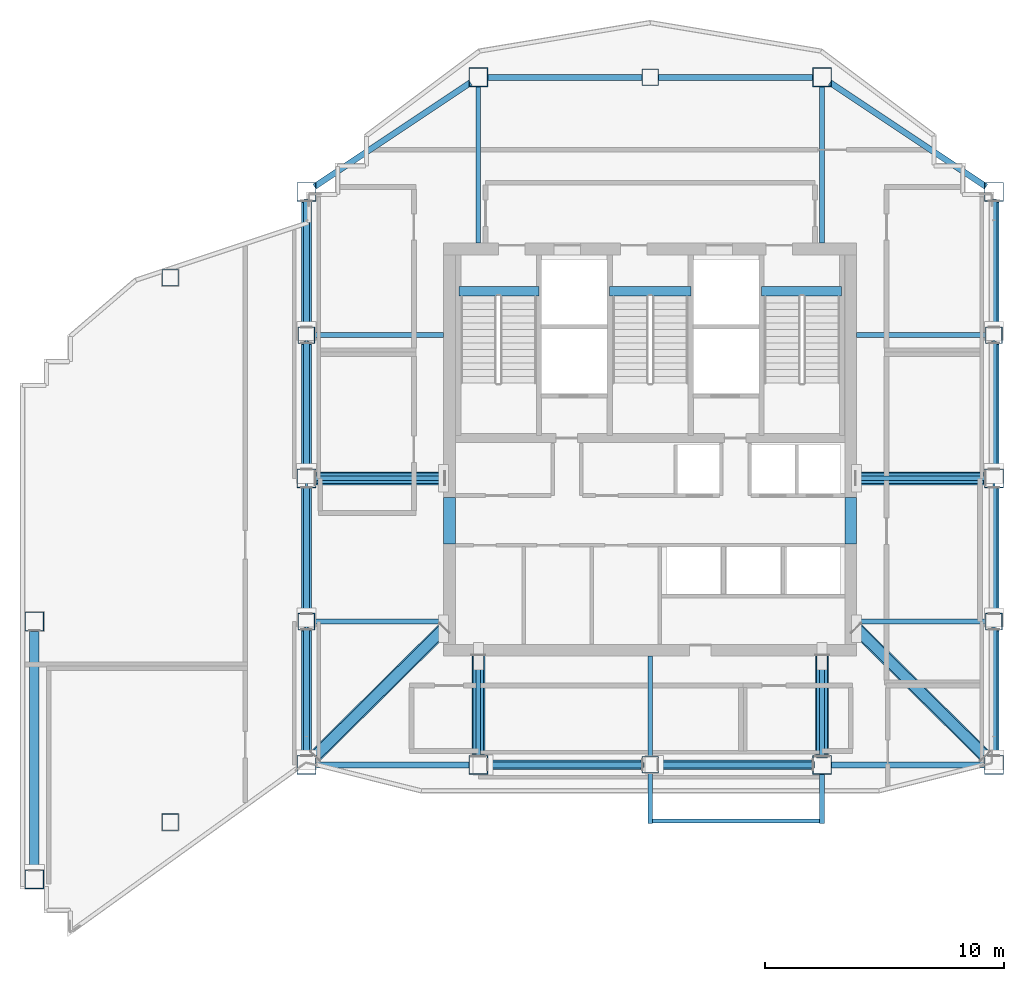
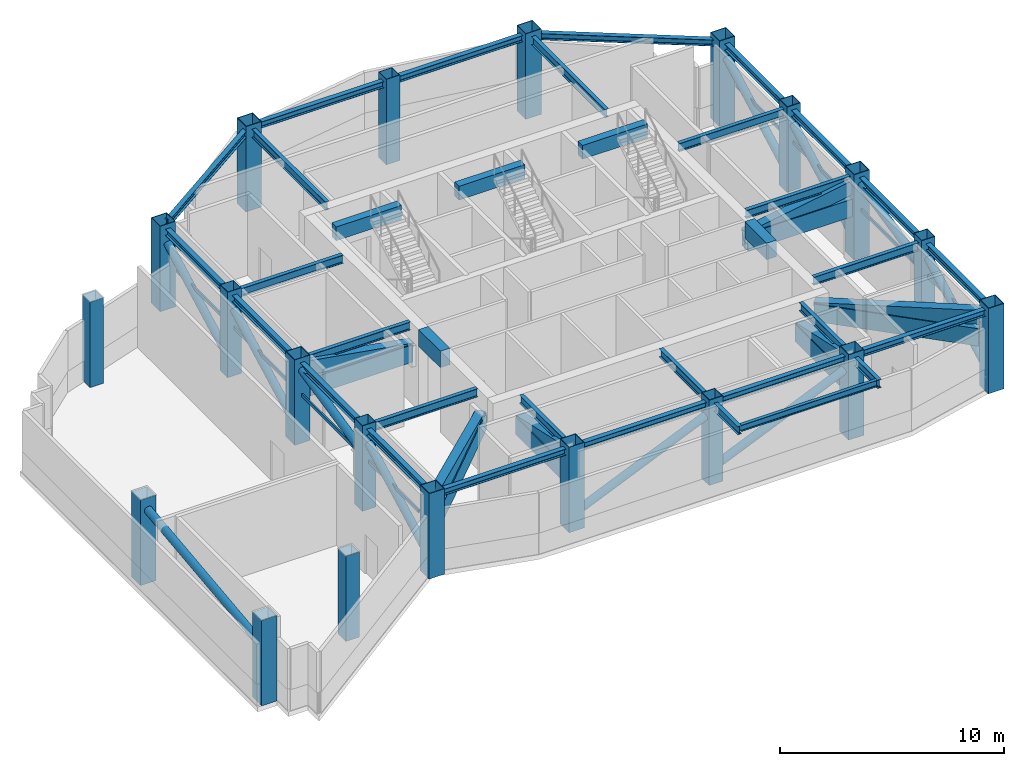
# One storey, part 1 of 15: 41 beams, 20 columns, 19 members.
"""IFC4 building model written with IfcOpenShell, lengths in metres."""

from ifc_helpers import new_model, si_unit, direction, frame, origin, origin_2d, place, context, subcontext, project, spatial, rectangle, hollow_rectangle, hollow_circle, i_section, extrude, material, material_profile, profile_set, type_object, element, save


model = new_model("IFC4")

# Units and contexts
model_context = context("Model", 3, precision=1e-05, world=origin(), true_north=direction((0.0, 1.0)))
body_context = subcontext(model_context, "Body", "Model", "MODEL_VIEW")
ifc_project = project(units=[si_unit("LENGTHUNIT", "METRE"), si_unit("AREAUNIT", "SQUARE_METRE"), si_unit("VOLUMEUNIT", "CUBIC_METRE"), si_unit("PLANEANGLEUNIT", "RADIAN"), si_unit("MASSUNIT", "GRAM", prefix="KILO")], contexts=[model_context])

# Site, building, storey
site_placement = place(None, origin())
site = spatial("IfcSite", under=ifc_project, at=site_placement, CompositionType="ELEMENT")
building_placement = place(site_placement, origin())
building = spatial("IfcBuilding", under=site, at=building_placement, Name="Haolan Belvedere Tower", CompositionType="ELEMENT")
storey_placement = place(building_placement, frame((0.0, 0.0, 277.550048828125)))
storey = spatial("IfcBuildingStorey", under=building, at=storey_placement, Name="L70", CompositionType="ELEMENT", Elevation=277.550048828125)

# Columns
ifc_material_1 = material(Name="Steel Q390GJC", Category="steel")
ifc_material_profile_1 = material_profile(ifc_material_1, hollow_rectangle(XDim=0.699951171875, YDim=0.699951171875, WallThickness=0.02587890625, at=origin_2d()), Name="Steel Q390GJC")
ifc_profile_set_1 = profile_set([ifc_material_profile_1], Name="Steel Q390GJC")
column_type_1 = type_object("IfcColumnType", Name="COL-BOX700x700x26", PredefinedType="COLUMN", material=ifc_profile_set_1)
for number, where, z_axis, x_axis, name in (
    (1, (24.0, 27.60009765625, 0.0), (0.0, 0.0, 1.0), (1.0, 0.0, 0.0), "L70 column TC-T3-W1 (BOX700x700x26)"),
    (2, (24.0, 39.60009765625, 0.0), (0.0, 0.0, 1.0), (1.0, 0.0, 0.0), "L70 column TC-T3-W2 (BOX700x700x26)"),
    (3, (52.800048828125, 27.60009765625, 0.0), (0.0, 0.0, 1.0), (1.0, 0.0, 0.0), "L70 column TC-T3-E1 (BOX700x700x26)"),
    (4, (52.800048828125, 39.60009765625, 0.0), (0.0, 0.0, 1.0), (1.0, 0.0, 0.0), "L70 column TC-T3-E2 (BOX700x700x26)"),
    (5, (38.39990234375, 21.60009765625, 0.0), (0.0, 0.0, 1.0), (1.0, 0.0, 0.0), "L70 column TC-T3-SM (BOX700x700x26)"),
    (6, (38.39990234375, 50.39990234375, 0.0), (0.0, 0.0, 1.0), (1.0, 0.0, 0.0), "L70 column TC-T3-NM (BOX700x700x26)"),
    (7, (18.300048828125, 19.199951171875, 0.0), (0.0, 0.0, 1.0), (1.0, 0.0, 0.0), "L70 column TC-T2-S1 (BOX700x700x26)"),
    (8, (18.300048828125, 42.0, 0.0), (0.0, 0.0, 1.0), (1.0, 0.0, 0.0), "L70 column TC-T2-N1 (BOX700x700x26)"),
):
    element("IfcColumn", number, at=place(storey_placement, frame(where, z_axis=z_axis, x_axis=x_axis)), inside=storey, type_object=column_type_1, Name=name, PredefinedType="COLUMN", context=body_context, shape_type="SweptSolid", body=[
        extrude(hollow_rectangle(XDim=0.699951171875, YDim=0.699951171875, WallThickness=0.02587890625, at=origin_2d()), origin(), (0.0, 0.0, 1.0), 4.64990234375),
    ])
ifc_material_profile_2 = material_profile(ifc_material_1, hollow_rectangle(XDim=0.800048828125, YDim=0.800048828125, WallThickness=0.030029296875, at=origin_2d()), Name="Steel Q390GJC")
ifc_profile_set_2 = profile_set([ifc_material_profile_2], Name="Steel Q390GJC")
column_type_2 = type_object("IfcColumnType", Name="COL-BOX800x800x30", PredefinedType="COLUMN", material=ifc_profile_set_2)
for number, where, z_axis, x_axis, name in (
    (9, (24.0, 21.60009765625, 0.0), (0.0, 0.0, 1.0), (1.0, 0.0, 0.0), "L70 column MC-T3-SW (BOX800x800x30)"),
    (10, (24.0, 33.60009765625, 0.0), (0.0, 0.0, 1.0), (1.0, 0.0, 0.0), "L70 column MC-T3-MW (BOX800x800x30)"),
    (11, (24.0, 45.60009765625, 0.0), (0.0, 0.0, 1.0), (1.0, 0.0, 0.0), "L70 column MC-T3-NW (BOX800x800x30)"),
    (12, (52.800048828125, 21.60009765625, 0.0), (0.0, 0.0, 1.0), (1.0, 0.0, 0.0), "L70 column MC-T3-SE (BOX800x800x30)"),
    (13, (52.800048828125, 33.60009765625, 0.0), (0.0, 0.0, 1.0), (1.0, 0.0, 0.0), "L70 column MC-T3-ME (BOX800x800x30)"),
    (14, (52.800048828125, 45.60009765625, 0.0), (0.0, 0.0, 1.0), (1.0, 0.0, 0.0), "L70 column MC-T3-NE (BOX800x800x30)"),
    (15, (31.199951171875, 21.60009765625, 0.0), (0.0, 0.0, 1.0), (1.0, 0.0, 0.0), "L70 column MC-T3-S1 (BOX800x800x30)"),
    (16, (45.60009765625, 21.60009765625, 0.0), (0.0, 0.0, 1.0), (1.0, 0.0, 0.0), "L70 column MC-T3-S2 (BOX800x800x30)"),
    (17, (31.199951171875, 50.39990234375, 0.0), (0.0, 0.0, 1.0), (1.0, 0.0, 0.0), "L70 column MC-T3-N1 (BOX800x800x30)"),
    (18, (45.60009765625, 50.39990234375, 0.0), (0.0, 0.0, 1.0), (1.0, 0.0, 0.0), "L70 column MC-T3-N2 (BOX800x800x30)"),
    (19, (12.60009765625, 16.800048828125, 0.0), (0.0, 0.0, 1.0), (1.0, 0.0, 0.0), "L70 column MC-T2-SW (BOX800x800x30)"),
    (20, (12.60009765625, 27.60009765625, 0.0), (0.0, 0.0, 1.0), (1.0, 0.0, 0.0), "L70 column MC-T2-MW (BOX800x800x30)"),
):
    element("IfcColumn", number, at=place(storey_placement, frame(where, z_axis=z_axis, x_axis=x_axis)), inside=storey, type_object=column_type_2, Name=name, PredefinedType="COLUMN", context=body_context, shape_type="SweptSolid", body=[
        extrude(hollow_rectangle(XDim=0.800048828125, YDim=0.800048828125, WallThickness=0.030029296875, at=origin_2d()), origin(), (0.0, 0.0, 1.0), 4.64990234375),
    ])

# Beams
ifc_material_2 = material(Name="Steel Q420GJC", Category="steel")
ifc_material_profile_3 = material_profile(ifc_material_2, hollow_rectangle(XDim=0.550048828125, YDim=0.949951171875, WallThickness=0.033935546875, at=origin_2d()), Name="Steel Q420GJC")
ifc_profile_set_3 = profile_set([ifc_material_profile_3], Name="Steel Q420GJC")
beam_type_1 = type_object("IfcBeamType", Name="BM-BOX950x550x34", PredefinedType="BEAM", material=ifc_profile_set_3)
beam_1_placement = place(storey_placement, frame((29.780029296875, 33.60009765625, 2.780029296875), z_axis=(-1.0, 0.0, 0.0), x_axis=(0.0, -1.0, 0.0)))
element("IfcBeam", 21, at=beam_1_placement, inside=storey, type_object=beam_type_1, Name="L70 core outrigger lower portal chord OR-W1", PredefinedType="BEAM", context=body_context, shape_type="SweptSolid", body=[
    extrude(hollow_rectangle(XDim=0.550048828125, YDim=0.949951171875, WallThickness=0.033935546875, at=origin_2d()), origin(), (0.0, 0.0, 1.0), 5.409912109375),
])
beam_2_placement = place(storey_placement, frame((29.771240234375, 27.321044921875, 2.780029296875), z_axis=(-0.710186694144, -0.704013394376, 0.0), x_axis=(0.704013394376, -0.710186694144, 0.0)))
element("IfcBeam", 22, at=beam_2_placement, inside=storey, type_object=beam_type_1, Name="L70 core outrigger lower portal chord OR-W2", PredefinedType="BEAM", context=body_context, shape_type="SweptSolid", body=[
    extrude(hollow_rectangle(XDim=0.550048828125, YDim=0.949951171875, WallThickness=0.033935546875, at=origin_2d()), origin(), (0.0, 0.0, 1.0), 7.59326171875),
])
beam_3_placement = place(storey_placement, frame((47.02001953125, 33.60009765625, 2.780029296875), z_axis=(1.0, 0.0, 0.0), x_axis=(0.0, 1.0, 0.0)))
element("IfcBeam", 23, at=beam_3_placement, inside=storey, type_object=beam_type_1, Name="L70 core outrigger lower portal chord OR-E1", PredefinedType="BEAM", context=body_context, shape_type="SweptSolid", body=[
    extrude(hollow_rectangle(XDim=0.550048828125, YDim=0.949951171875, WallThickness=0.033935546875, at=origin_2d()), origin(), (0.0, 0.0, 1.0), 5.409912109375),
])
beam_4_placement = place(storey_placement, frame((47.02880859375, 27.321044921875, 2.780029296875), z_axis=(0.710186694144, -0.704013394376, 0.0), x_axis=(0.704013394376, 0.710186694144, 0.0)))
element("IfcBeam", 24, at=beam_4_placement, inside=storey, type_object=beam_type_1, Name="L70 core outrigger lower portal chord OR-E2", PredefinedType="BEAM", context=body_context, shape_type="SweptSolid", body=[
    extrude(hollow_rectangle(XDim=0.550048828125, YDim=0.949951171875, WallThickness=0.033935546875, at=origin_2d()), origin(), (0.0, 0.0, 1.0), 7.59326171875),
])
for number, where, z_axis, x_axis, name in (
    (25, (31.199951171875, 26.179931640625, 2.780029296875), (0.0, -1.0, 0.0), (1.0, 0.0, 0.0), "L70 core outrigger lower portal chord OR-S1"),
    (26, (45.60009765625, 26.179931640625, 2.780029296875), (0.0, -1.0, 0.0), (1.0, 0.0, 0.0), "L70 core outrigger lower portal chord OR-S2"),
):
    element("IfcBeam", number, at=place(storey_placement, frame(where, z_axis=z_axis, x_axis=x_axis)), inside=storey, type_object=beam_type_1, Name=name, PredefinedType="BEAM", context=body_context, shape_type="SweptSolid", body=[
        extrude(hollow_rectangle(XDim=0.550048828125, YDim=0.949951171875, WallThickness=0.033935546875, at=origin_2d()), origin(), (0.0, 0.0, 1.0), 4.2099609375),
    ])
ifc_material_3 = material(Name="Steel Q355B", Category="steel")
ifc_material_profile_4 = material_profile(ifc_material_3, i_section(OverallWidth=0.25, OverallDepth=0.340087890625, WebThickness=0.009033203125, FlangeThickness=0.013916015625, FilletRadius=0.02001953125, at=origin_2d()), Name="Steel Q355B")
ifc_profile_set_4 = profile_set([ifc_material_profile_4], Name="Steel Q355B")
beam_type_2 = type_object("IfcBeamType", Name="BM-HM340x250x9x14", PredefinedType="SPANDREL", material=ifc_profile_set_4)
for number, where, z_axis, x_axis, name in (
    (27, (24.0, 22.0, 4.22998046875), (0.0, 1.0, 0.0), (-1.0, 0.0, 0.0), "L70 spandrel girder MC-T3-SW-TC-T3-W1"),
    (28, (24.0, 27.949951171875, 4.22998046875), (0.0, 1.0, 0.0), (-1.0, 0.0, 0.0), "L70 spandrel girder TC-T3-W1-MC-T3-MW"),
    (29, (24.0, 34.0, 4.22998046875), (0.0, 1.0, 0.0), (-1.0, 0.0, 0.0), "L70 spandrel girder MC-T3-MW-TC-T3-W2"),
    (30, (24.0, 39.949951171875, 4.22998046875), (0.0, 1.0, 0.0), (-1.0, 0.0, 0.0), "L70 spandrel girder TC-T3-W2-MC-T3-NW"),
    (31, (52.800048828125, 22.0, 4.22998046875), (0.0, 1.0, 0.0), (-1.0, 0.0, 0.0), "L70 spandrel girder MC-T3-SE-TC-T3-E1"),
    (32, (52.800048828125, 27.949951171875, 4.22998046875), (0.0, 1.0, 0.0), (-1.0, 0.0, 0.0), "L70 spandrel girder TC-T3-E1-MC-T3-ME"),
    (33, (52.800048828125, 34.0, 4.22998046875), (0.0, 1.0, 0.0), (-1.0, 0.0, 0.0), "L70 spandrel girder MC-T3-ME-TC-T3-E2"),
    (34, (52.800048828125, 39.949951171875, 4.22998046875), (0.0, 1.0, 0.0), (-1.0, 0.0, 0.0), "L70 spandrel girder TC-T3-E2-MC-T3-NE"),
):
    element("IfcBeam", number, at=place(storey_placement, frame(where, z_axis=z_axis, x_axis=x_axis)), inside=storey, type_object=beam_type_2, Name=name, PredefinedType="SPANDREL", context=body_context, shape_type="SweptSolid", body=[
        extrude(i_section(OverallWidth=0.25, OverallDepth=0.340087890625, WebThickness=0.009033203125, FlangeThickness=0.013916015625, FilletRadius=0.02001953125, at=origin_2d()), origin(), (0.0, 0.0, 1.0), 5.25),
    ])
beam_5_placement = place(storey_placement, frame((24.39990234375, 21.60009765625, 4.22998046875), z_axis=(1.0, 0.0, 0.0), x_axis=(0.0, 1.0, 0.0)))
element("IfcBeam", 35, at=beam_5_placement, inside=storey, type_object=beam_type_2, Name="L70 spandrel girder MC-T3-SW-MC-T3-S1", PredefinedType="SPANDREL", context=body_context, shape_type="SweptSolid", body=[
    extrude(i_section(OverallWidth=0.25, OverallDepth=0.340087890625, WebThickness=0.009033203125, FlangeThickness=0.013916015625, FilletRadius=0.02001953125, at=origin_2d()), origin(), (0.0, 0.0, 1.0), 6.400146484375),
])
for number, where, z_axis, x_axis, name in (
    (36, (31.60009765625, 21.60009765625, 4.22998046875), (1.0, 0.0, 0.0), (0.0, 1.0, 0.0), "L70 spandrel girder MC-T3-S1-TC-T3-SM"),
    (37, (38.75, 21.60009765625, 4.22998046875), (1.0, 0.0, 0.0), (0.0, 1.0, 0.0), "L70 spandrel girder TC-T3-SM-MC-T3-S2"),
):
    element("IfcBeam", number, at=place(storey_placement, frame(where, z_axis=z_axis, x_axis=x_axis)), inside=storey, type_object=beam_type_2, Name=name, PredefinedType="SPANDREL", context=body_context, shape_type="SweptSolid", body=[
        extrude(i_section(OverallWidth=0.25, OverallDepth=0.340087890625, WebThickness=0.009033203125, FlangeThickness=0.013916015625, FilletRadius=0.02001953125, at=origin_2d()), origin(), (0.0, 0.0, 1.0), 6.449951171875),
    ])
beam_6_placement = place(storey_placement, frame((46.0, 21.60009765625, 4.22998046875), z_axis=(1.0, 0.0, 0.0), x_axis=(0.0, 1.0, 0.0)))
element("IfcBeam", 38, at=beam_6_placement, inside=storey, type_object=beam_type_2, Name="L70 spandrel girder MC-T3-S2-MC-T3-SE", PredefinedType="SPANDREL", context=body_context, shape_type="SweptSolid", body=[
    extrude(i_section(OverallWidth=0.25, OverallDepth=0.340087890625, WebThickness=0.009033203125, FlangeThickness=0.013916015625, FilletRadius=0.02001953125, at=origin_2d()), origin(), (0.0, 0.0, 1.0), 6.39990234375),
])
beam_7_placement = place(storey_placement, frame((24.332763671875, 45.82177734375, 4.22998046875), z_axis=(0.832040729016, 0.55471454394, 0.0), x_axis=(-0.55471454394, 0.832040729016, 0.0)))
element("IfcBeam", 39, at=beam_7_placement, inside=storey, type_object=beam_type_2, Name="L70 spandrel girder MC-T3-NW-MC-T3-N1", PredefinedType="SPANDREL", context=body_context, shape_type="SweptSolid", body=[
    extrude(i_section(OverallWidth=0.25, OverallDepth=0.340087890625, WebThickness=0.009033203125, FlangeThickness=0.013916015625, FilletRadius=0.02001953125, at=origin_2d()), origin(), (0.0, 0.0, 1.0), 7.853515625),
])
for number, where, z_axis, x_axis, name in (
    (40, (31.60009765625, 50.39990234375, 4.22998046875), (1.0, 0.0, 0.0), (0.0, 1.0, 0.0), "L70 spandrel girder MC-T3-N1-TC-T3-NM"),
    (41, (38.75, 50.39990234375, 4.22998046875), (1.0, 0.0, 0.0), (0.0, 1.0, 0.0), "L70 spandrel girder TC-T3-NM-MC-T3-N2"),
):
    element("IfcBeam", number, at=place(storey_placement, frame(where, z_axis=z_axis, x_axis=x_axis)), inside=storey, type_object=beam_type_2, Name=name, PredefinedType="SPANDREL", context=body_context, shape_type="SweptSolid", body=[
        extrude(i_section(OverallWidth=0.25, OverallDepth=0.340087890625, WebThickness=0.009033203125, FlangeThickness=0.013916015625, FilletRadius=0.02001953125, at=origin_2d()), origin(), (0.0, 0.0, 1.0), 6.449951171875),
    ])
beam_8_placement = place(storey_placement, frame((45.932861328125, 50.17822265625, 4.22998046875), z_axis=(0.832040729016, -0.55471454394, 0.0), x_axis=(0.55471454394, 0.832040729016, 0.0)))
element("IfcBeam", 42, at=beam_8_placement, inside=storey, type_object=beam_type_2, Name="L70 spandrel girder MC-T3-N2-MC-T3-NE", PredefinedType="SPANDREL", context=body_context, shape_type="SweptSolid", body=[
    extrude(i_section(OverallWidth=0.25, OverallDepth=0.340087890625, WebThickness=0.009033203125, FlangeThickness=0.013916015625, FilletRadius=0.02001953125, at=origin_2d()), origin(), (0.0, 0.0, 1.0), 7.853515625),
])
ifc_material_profile_5 = material_profile(ifc_material_3, i_section(OverallWidth=0.175048828125, OverallDepth=0.35009765625, WebThickness=0.007080078125, FlangeThickness=0.010986328125, FilletRadius=0.012939453125, at=origin_2d()), Name="Steel Q355B")
ifc_profile_set_5 = profile_set([ifc_material_profile_5], Name="Steel Q355B")
beam_type_3 = type_object("IfcBeamType", Name="BM-HN350x175x7x11", PredefinedType="JOIST", material=ifc_profile_set_5)
beam_9_placement = place(storey_placement, frame((38.5, 19.239990234375, 4.224853515625), z_axis=(1.0, 0.0, 0.0), x_axis=(0.0, 1.0, 0.0)))
element("IfcBeam", 43, at=beam_9_placement, inside=storey, type_object=beam_type_3, Name="L71 tree-balcony front trimmer beam 1", PredefinedType="BEAM", context=body_context, shape_type="SweptSolid", body=[
    extrude(i_section(OverallWidth=0.175048828125, OverallDepth=0.35009765625, WebThickness=0.007080078125, FlangeThickness=0.010986328125, FilletRadius=0.012939453125, at=origin_2d()), origin(), (0.0, 0.0, 1.0), 7.0),
])
ifc_material_profile_6 = material_profile(ifc_material_3, i_section(OverallWidth=0.199951171875, OverallDepth=0.449951171875, WebThickness=0.009033203125, FlangeThickness=0.013916015625, FilletRadius=0.01611328125, at=origin_2d()), Name="Steel Q355B")
ifc_profile_set_6 = profile_set([ifc_material_profile_6], Name="Steel Q355B")
beam_type_4 = type_object("IfcBeamType", Name="BM-HN450x200x9x14", PredefinedType="BEAM", material=ifc_profile_set_6)
beam_10_placement = place(storey_placement, frame((24.39990234375, 33.60009765625, 4.175048828125), z_axis=(1.0, 0.0, 0.0), x_axis=(0.0, 1.0, 0.0)))
element("IfcBeam", 44, at=beam_10_placement, inside=storey, type_object=beam_type_4, Name="L70 core tie beam from MC-T3-MW", PredefinedType="BEAM", context=body_context, shape_type="SweptSolid", body=[
    extrude(i_section(OverallWidth=0.199951171875, OverallDepth=0.449951171875, WebThickness=0.009033203125, FlangeThickness=0.013916015625, FilletRadius=0.01611328125, at=origin_2d()), origin(), (0.0, 0.0, 1.0), 5.35009765625),
])
for number, where, z_axis, x_axis, name in (
    (45, (24.35009765625, 27.60009765625, 4.175048828125), (1.0, 0.0, 0.0), (0.0, 1.0, 0.0), "L70 core tie beam from TC-T3-W1"),
    (46, (24.35009765625, 39.60009765625, 4.175048828125), (1.0, 0.0, 0.0), (0.0, 1.0, 0.0), "L70 core tie beam from TC-T3-W2"),
):
    element("IfcBeam", number, at=place(storey_placement, frame(where, z_axis=z_axis, x_axis=x_axis)), inside=storey, type_object=beam_type_4, Name=name, PredefinedType="BEAM", context=body_context, shape_type="SweptSolid", body=[
        extrude(i_section(OverallWidth=0.199951171875, OverallDepth=0.449951171875, WebThickness=0.009033203125, FlangeThickness=0.013916015625, FilletRadius=0.01611328125, at=origin_2d()), origin(), (0.0, 0.0, 1.0), 5.39990234375),
    ])
beam_11_placement = place(storey_placement, frame((52.39990234375, 33.60009765625, 4.175048828125), z_axis=(-1.0, 0.0, 0.0), x_axis=(0.0, -1.0, 0.0)))
element("IfcBeam", 47, at=beam_11_placement, inside=storey, type_object=beam_type_4, Name="L70 core tie beam from MC-T3-ME", PredefinedType="BEAM", context=body_context, shape_type="SweptSolid", body=[
    extrude(i_section(OverallWidth=0.199951171875, OverallDepth=0.449951171875, WebThickness=0.009033203125, FlangeThickness=0.013916015625, FilletRadius=0.01611328125, at=origin_2d()), origin(), (0.0, 0.0, 1.0), 5.349853515625),
])
for number, where, z_axis, x_axis, name in (
    (48, (52.449951171875, 27.60009765625, 4.175048828125), (-1.0, 0.0, 0.0), (0.0, -1.0, 0.0), "L70 core tie beam from TC-T3-E1"),
    (49, (52.449951171875, 39.60009765625, 4.175048828125), (-1.0, 0.0, 0.0), (0.0, -1.0, 0.0), "L70 core tie beam from TC-T3-E2"),
):
    element("IfcBeam", number, at=place(storey_placement, frame(where, z_axis=z_axis, x_axis=x_axis)), inside=storey, type_object=beam_type_4, Name=name, PredefinedType="BEAM", context=body_context, shape_type="SweptSolid", body=[
        extrude(i_section(OverallWidth=0.199951171875, OverallDepth=0.449951171875, WebThickness=0.009033203125, FlangeThickness=0.013916015625, FilletRadius=0.01611328125, at=origin_2d()), origin(), (0.0, 0.0, 1.0), 5.39990234375),
    ])
beam_12_placement = place(storey_placement, frame((31.199951171875, 22.0, 4.175048828125), z_axis=(0.0, 1.0, 0.0), x_axis=(-1.0, 0.0, 0.0)))
element("IfcBeam", 50, at=beam_12_placement, inside=storey, type_object=beam_type_4, Name="L70 core tie beam from MC-T3-S1", PredefinedType="BEAM", context=body_context, shape_type="SweptSolid", body=[
    extrude(i_section(OverallWidth=0.199951171875, OverallDepth=0.449951171875, WebThickness=0.009033203125, FlangeThickness=0.013916015625, FilletRadius=0.01611328125, at=origin_2d()), origin(), (0.0, 0.0, 1.0), 4.14990234375),
])
beam_13_placement = place(storey_placement, frame((38.39990234375, 21.949951171875, 4.175048828125), z_axis=(0.0, 1.0, 0.0), x_axis=(-1.0, 0.0, 0.0)))
element("IfcBeam", 51, at=beam_13_placement, inside=storey, type_object=beam_type_4, Name="L70 core tie beam from TC-T3-SM", PredefinedType="BEAM", context=body_context, shape_type="SweptSolid", body=[
    extrude(i_section(OverallWidth=0.199951171875, OverallDepth=0.449951171875, WebThickness=0.009033203125, FlangeThickness=0.013916015625, FilletRadius=0.01611328125, at=origin_2d()), origin(), (0.0, 0.0, 1.0), 4.199951171875),
])
beam_14_placement = place(storey_placement, frame((45.60009765625, 22.0, 4.175048828125), z_axis=(0.0, 1.0, 0.0), x_axis=(-1.0, 0.0, 0.0)))
element("IfcBeam", 52, at=beam_14_placement, inside=storey, type_object=beam_type_4, Name="L70 core tie beam from MC-T3-S2", PredefinedType="BEAM", context=body_context, shape_type="SweptSolid", body=[
    extrude(i_section(OverallWidth=0.199951171875, OverallDepth=0.449951171875, WebThickness=0.009033203125, FlangeThickness=0.013916015625, FilletRadius=0.01611328125, at=origin_2d()), origin(), (0.0, 0.0, 1.0), 4.14990234375),
])
for number, where, z_axis, x_axis, name in (
    (53, (31.199951171875, 50.0, 4.175048828125), (0.0, -1.0, 0.0), (1.0, 0.0, 0.0), "L70 core tie beam from MC-T3-N1"),
    (54, (45.60009765625, 50.0, 4.175048828125), (0.0, -1.0, 0.0), (1.0, 0.0, 0.0), "L70 core tie beam from MC-T3-N2"),
):
    element("IfcBeam", number, at=place(storey_placement, frame(where, z_axis=z_axis, x_axis=x_axis)), inside=storey, type_object=beam_type_4, Name=name, PredefinedType="BEAM", context=body_context, shape_type="SweptSolid", body=[
        extrude(i_section(OverallWidth=0.199951171875, OverallDepth=0.449951171875, WebThickness=0.009033203125, FlangeThickness=0.013916015625, FilletRadius=0.01611328125, at=origin_2d()), origin(), (0.0, 0.0, 1.0), 6.550048828125),
    ])
beam_15_placement = place(storey_placement, frame((38.39990234375, 21.25, 4.175048828125), z_axis=(0.0, -1.0, 0.0), x_axis=(1.0, 0.0, 0.0)))
element("IfcBeam", 55, at=beam_15_placement, inside=storey, type_object=beam_type_4, Name="L71 tree-balcony column cantilever TC-T3-SM", PredefinedType="BEAM", context=body_context, shape_type="SweptSolid", body=[
    extrude(i_section(OverallWidth=0.199951171875, OverallDepth=0.449951171875, WebThickness=0.009033203125, FlangeThickness=0.013916015625, FilletRadius=0.01611328125, at=origin_2d()), origin(), (0.0, 0.0, 1.0), 2.110107421875),
])
beam_16_placement = place(storey_placement, frame((45.60009765625, 21.199951171875, 4.175048828125), z_axis=(0.0, -1.0, 0.0), x_axis=(1.0, 0.0, 0.0)))
element("IfcBeam", 56, at=beam_16_placement, inside=storey, type_object=beam_type_4, Name="L71 tree-balcony column cantilever MC-T3-S2", PredefinedType="BEAM", context=body_context, shape_type="SweptSolid", body=[
    extrude(i_section(OverallWidth=0.199951171875, OverallDepth=0.449951171875, WebThickness=0.009033203125, FlangeThickness=0.013916015625, FilletRadius=0.01611328125, at=origin_2d()), origin(), (0.0, 0.0, 1.0), 2.06005859375),
])
ifc_material_4 = material(Name="Concrete C50/60", Category="concrete")
ifc_material_profile_7 = material_profile(ifc_material_4, rectangle(XDim=0.39990234375, YDim=0.75, at=origin_2d()), Name="Concrete C50/60")
ifc_profile_set_7 = profile_set([ifc_material_profile_7], Name="Concrete C50/60")
beam_type_5 = type_object("IfcBeamType", Name="BM-RC400x750", PredefinedType="T_BEAM", material=ifc_profile_set_7)
beam_17_placement = place(storey_placement, frame((30.3798828125, 41.429931640625, 4.27490234375), z_axis=(1.0, 0.0, 0.0), x_axis=(0.0, 1.0, 0.0)))
element("IfcBeam", 57, at=beam_17_placement, inside=storey, type_object=beam_type_5, Name="L71 stair ST1 RC header trimmer beam", PredefinedType="BEAM", context=body_context, shape_type="SweptSolid", body=[
    extrude(rectangle(XDim=0.39990234375, YDim=0.75, at=origin_2d()), origin(), (0.0, 0.0, 1.0), 3.360107421875),
])
beam_18_placement = place(storey_placement, frame((36.699951171875, 41.429931640625, 4.27490234375), z_axis=(1.0, 0.0, 0.0), x_axis=(0.0, 1.0, 0.0)))
element("IfcBeam", 58, at=beam_18_placement, inside=storey, type_object=beam_type_5, Name="L71 stair ST3 RC header trimmer beam", PredefinedType="BEAM", context=body_context, shape_type="SweptSolid", body=[
    extrude(rectangle(XDim=0.39990234375, YDim=0.75, at=origin_2d()), origin(), (0.0, 0.0, 1.0), 3.400146484375),
])
beam_19_placement = place(storey_placement, frame((43.06005859375, 41.429931640625, 4.27490234375), z_axis=(1.0, 0.0, 0.0), x_axis=(0.0, 1.0, 0.0)))
element("IfcBeam", 59, at=beam_19_placement, inside=storey, type_object=beam_type_5, Name="L71 stair ST2 RC header trimmer beam", PredefinedType="BEAM", context=body_context, shape_type="SweptSolid", body=[
    extrude(rectangle(XDim=0.39990234375, YDim=0.75, at=origin_2d()), origin(), (0.0, 0.0, 1.0), 3.35986328125),
])
ifc_material_5 = material(Name="Concrete C60/75", Category="concrete")
ifc_material_profile_8 = material_profile(ifc_material_5, rectangle(XDim=0.5, YDim=0.89990234375, at=origin_2d()), Name="Concrete C60/75")
ifc_profile_set_8 = profile_set([ifc_material_profile_8], Name="Concrete C60/75")
beam_type_6 = type_object("IfcBeamType", Name="BM-RC500x900", PredefinedType="LINTEL", material=ifc_profile_set_8)
for number, where, z_axis, x_axis, name in (
    (60, (30.0, 30.85009765625, 3.949951171875), (0.0, 1.0, 0.0), (-1.0, 0.0, 0.0), "L70 west core coupling beam CB-01"),
    (61, (46.800048828125, 30.85009765625, 3.949951171875), (0.0, 1.0, 0.0), (-1.0, 0.0, 0.0), "L70 east core coupling beam CB-01"),
):
    element("IfcBeam", number, at=place(storey_placement, frame(where, z_axis=z_axis, x_axis=x_axis)), inside=storey, type_object=beam_type_6, Name=name, PredefinedType="LINTEL", context=body_context, shape_type="SweptSolid", body=[
        extrude(rectangle(XDim=0.5, YDim=0.89990234375, at=origin_2d()), origin(), (0.0, 0.0, 1.0), 1.949951171875),
    ])

# Members
ifc_material_profile_9 = material_profile(ifc_material_1, hollow_rectangle(XDim=0.449951171875, YDim=0.75, WallThickness=0.028076171875, at=origin_2d()), Name="Steel Q390GJC")
ifc_profile_set_9 = profile_set([ifc_material_profile_9], Name="Steel Q390GJC")
member_type_1 = type_object("IfcMemberType", Name="MEM-BOX750x450x28", PredefinedType="BRACE", material=ifc_profile_set_9)
member_1_placement = place(storey_placement, frame((29.780029296875, 33.60009765625, 2.919921875), z_axis=(-0.985848715481, 0.0, 0.167637436704), x_axis=(0.0, -1.0, 0.0)))
element("IfcMember", 62, at=member_1_placement, inside=storey, type_object=member_type_1, Name="L70 core outrigger brace OR-W1", PredefinedType="BRACE", context=body_context, shape_type="SweptSolid", body=[
    extrude(hollow_rectangle(XDim=0.449951171875, YDim=0.75, WallThickness=0.028076171875, at=origin_2d()), origin(), (0.0, 0.0, 1.0), 5.487548828125),
])
member_2_placement = place(storey_placement, frame((29.771240234375, 27.321044921875, 2.919921875), z_axis=(-0.705031468566, -0.698902980611, 0.12027157613), x_axis=(0.704013394376, -0.710186694144, 0.0)))
element("IfcMember", 63, at=member_2_placement, inside=storey, type_object=member_type_1, Name="L70 core outrigger brace OR-W2", PredefinedType="BRACE", context=body_context, shape_type="SweptSolid", body=[
    extrude(hollow_rectangle(XDim=0.449951171875, YDim=0.75, WallThickness=0.028076171875, at=origin_2d()), origin(), (0.0, 0.0, 1.0), 7.648681640625),
])
member_3_placement = place(storey_placement, frame((47.02001953125, 33.60009765625, 2.919921875), z_axis=(0.985848715481, 0.0, 0.167637436704), x_axis=(0.0, 1.0, 0.0)))
element("IfcMember", 64, at=member_3_placement, inside=storey, type_object=member_type_1, Name="L70 core outrigger brace OR-E1", PredefinedType="BRACE", context=body_context, shape_type="SweptSolid", body=[
    extrude(hollow_rectangle(XDim=0.449951171875, YDim=0.75, WallThickness=0.028076171875, at=origin_2d()), origin(), (0.0, 0.0, 1.0), 5.487548828125),
])
member_4_placement = place(storey_placement, frame((47.02880859375, 27.321044921875, 2.919921875), z_axis=(0.705031468566, -0.698902980611, 0.12027157613), x_axis=(0.704013394376, 0.710186694144, 0.0)))
element("IfcMember", 65, at=member_4_placement, inside=storey, type_object=member_type_1, Name="L70 core outrigger brace OR-E2", PredefinedType="BRACE", context=body_context, shape_type="SweptSolid", body=[
    extrude(hollow_rectangle(XDim=0.449951171875, YDim=0.75, WallThickness=0.028076171875, at=origin_2d()), origin(), (0.0, 0.0, 1.0), 7.648681640625),
])
for number, where, z_axis, x_axis, name in (
    (66, (31.199951171875, 26.179931640625, 2.919921875), (0.0, -0.976948779153, 0.213473845967), (1.0, 0.0, 0.0), "L70 core outrigger brace OR-S1"),
    (67, (45.60009765625, 26.179931640625, 2.919921875), (0.0, -0.976948779153, 0.213473845967), (1.0, 0.0, 0.0), "L70 core outrigger brace OR-S2"),
):
    element("IfcMember", number, at=place(storey_placement, frame(where, z_axis=z_axis, x_axis=x_axis)), inside=storey, type_object=member_type_1, Name=name, PredefinedType="BRACE", context=body_context, shape_type="SweptSolid", body=[
        extrude(hollow_rectangle(XDim=0.449951171875, YDim=0.75, WallThickness=0.028076171875, at=origin_2d()), origin(), (0.0, 0.0, 1.0), 4.309326171875),
    ])
ifc_material_profile_10 = material_profile(ifc_material_3, hollow_circle(Radius=0.202880859375, WallThickness=0.01611328125, at=origin_2d()), Name="Steel Q355B")
ifc_profile_set_10 = profile_set([ifc_material_profile_10], Name="Steel Q355B")
member_type_2 = type_object("IfcMemberType", Name="MEM-CHS406x16", PredefinedType="BRACE", material=ifc_profile_set_10)
member_5_placement = place(storey_placement, frame((24.0, 21.989990234375, 0.800048828125), z_axis=(0.0, 0.883108303615, 0.469169184928), x_axis=(-1.0, 0.0, 0.0)))
element("IfcMember", 68, at=member_5_placement, inside=storey, type_object=member_type_2, Name="L70 belt truss diagonal BT-W1", PredefinedType="BRACE", context=body_context, shape_type="SweptSolid", body=[
    extrude(hollow_circle(Radius=0.202880859375, WallThickness=0.01611328125, at=origin_2d()), origin(), (0.0, 0.0, 1.0), 5.967529296875),
])
member_6_placement = place(storey_placement, frame((24.0, 27.93994140625, 2.820068359375), z_axis=(0.0, 0.97662471497, 0.214951543631), x_axis=(-1.0, 0.0, 0.0)))
element("IfcMember", 69, at=member_6_placement, inside=storey, type_object=member_type_2, Name="L70 belt truss diagonal BT-W2", PredefinedType="BRACE", context=body_context, shape_type="SweptSolid", body=[
    extrude(hollow_circle(Radius=0.202880859375, WallThickness=0.01611328125, at=origin_2d()), origin(), (0.0, 0.0, 1.0), 5.396240234375),
])
for number, where, z_axis, x_axis, name in (
    (70, (24.0, 33.989990234375, 0.800048828125), (0.0, 0.883108303615, 0.469169184928), (-1.0, 0.0, 0.0), "L70 belt truss diagonal BT-W3"),
    (71, (24.0, 39.93994140625, 0.800048828125), (0.0, 0.883108303615, 0.469169184928), (-1.0, 0.0, 0.0), "L70 belt truss diagonal BT-W4"),
    (72, (52.800048828125, 21.989990234375, 0.800048828125), (0.0, 0.883108303615, 0.469169184928), (-1.0, 0.0, 0.0), "L70 belt truss diagonal BT-E1"),
):
    element("IfcMember", number, at=place(storey_placement, frame(where, z_axis=z_axis, x_axis=x_axis)), inside=storey, type_object=member_type_2, Name=name, PredefinedType="BRACE", context=body_context, shape_type="SweptSolid", body=[
        extrude(hollow_circle(Radius=0.202880859375, WallThickness=0.01611328125, at=origin_2d()), origin(), (0.0, 0.0, 1.0), 5.967529296875),
    ])
member_7_placement = place(storey_placement, frame((52.800048828125, 27.93994140625, 2.820068359375), z_axis=(0.0, 0.97662471497, 0.214951543631), x_axis=(-1.0, 0.0, 0.0)))
element("IfcMember", 73, at=member_7_placement, inside=storey, type_object=member_type_2, Name="L70 belt truss diagonal BT-E2", PredefinedType="BRACE", context=body_context, shape_type="SweptSolid", body=[
    extrude(hollow_circle(Radius=0.202880859375, WallThickness=0.01611328125, at=origin_2d()), origin(), (0.0, 0.0, 1.0), 5.396240234375),
])
for number, where, z_axis, x_axis, name in (
    (74, (52.800048828125, 33.989990234375, 0.800048828125), (0.0, 0.883108303615, 0.469169184928), (-1.0, 0.0, 0.0), "L70 belt truss diagonal BT-E3"),
    (75, (52.800048828125, 39.93994140625, 0.800048828125), (0.0, 0.883108303615, 0.469169184928), (-1.0, 0.0, 0.0), "L70 belt truss diagonal BT-E4"),
):
    element("IfcMember", number, at=place(storey_placement, frame(where, z_axis=z_axis, x_axis=x_axis)), inside=storey, type_object=member_type_2, Name=name, PredefinedType="BRACE", context=body_context, shape_type="SweptSolid", body=[
        extrude(hollow_circle(Radius=0.202880859375, WallThickness=0.01611328125, at=origin_2d()), origin(), (0.0, 0.0, 1.0), 5.967529296875),
    ])
for number, where, z_axis, x_axis, name in (
    (76, (31.590087890625, 21.60009765625, 0.800048828125), (0.917754710989, 0.0, 0.397147693507), (0.0, 1.0, 0.0), "L70 belt truss diagonal BT-S1"),
    (77, (38.739990234375, 21.60009765625, 0.800048828125), (0.917754710989, 0.0, 0.397147693507), (0.0, 1.0, 0.0), "L70 belt truss diagonal BT-S2"),
):
    element("IfcMember", number, at=place(storey_placement, frame(where, z_axis=z_axis, x_axis=x_axis)), inside=storey, type_object=member_type_2, Name=name, PredefinedType="BRACE", context=body_context, shape_type="SweptSolid", body=[
        extrude(hollow_circle(Radius=0.202880859375, WallThickness=0.01611328125, at=origin_2d()), origin(), (0.0, 0.0, 1.0), 7.0498046875),
    ])
member_8_placement = place(storey_placement, frame((12.60009765625, 17.18994140625, 2.820068359375), z_axis=(0.0, 0.993366467339, 0.114991571715), x_axis=(-1.0, 0.0, 0.0)))
element("IfcMember", 78, at=member_8_placement, inside=storey, type_object=member_type_2, Name="L70 belt truss diagonal BT-T2", PredefinedType="BRACE", context=body_context, shape_type="SweptSolid", body=[
    extrude(hollow_circle(Radius=0.202880859375, WallThickness=0.01611328125, at=origin_2d()), origin(), (0.0, 0.0, 1.0), 10.0869140625),
])
ifc_material_profile_11 = material_profile(ifc_material_3, hollow_rectangle(XDim=0.080078125, YDim=0.179931640625, WallThickness=0.006103515625, at=origin_2d()), Name="Steel Q355B")
ifc_profile_set_11 = profile_set([ifc_material_profile_11], Name="Steel Q355B")
member_type_3 = type_object("IfcMemberType", Name="MEM-RHS180x80x6", PredefinedType="CHORD", material=ifc_profile_set_11)
for number, where, z_axis, x_axis, name in (
    (79, (24.0, 22.800048828125, 2.599853515625), (0.0, 1.0, 0.0), (-1.0, 0.0, 0.0), "L70 refuge louvre structural girt chord GW"),
    (80, (52.800048828125, 22.800048828125, 2.599853515625), (0.0, 1.0, 0.0), (-1.0, 0.0, 0.0), "L70 refuge louvre structural girt chord GE"),
):
    element("IfcMember", number, at=place(storey_placement, frame(where, z_axis=z_axis, x_axis=x_axis)), inside=storey, type_object=member_type_3, Name=name, PredefinedType="STRUT", context=body_context, shape_type="SweptSolid", body=[
        extrude(hollow_rectangle(XDim=0.080078125, YDim=0.179931640625, WallThickness=0.006103515625, at=origin_2d()), origin(), (0.0, 0.0, 1.0), 21.599853515625),
    ])

save(model, "model.ifc")
